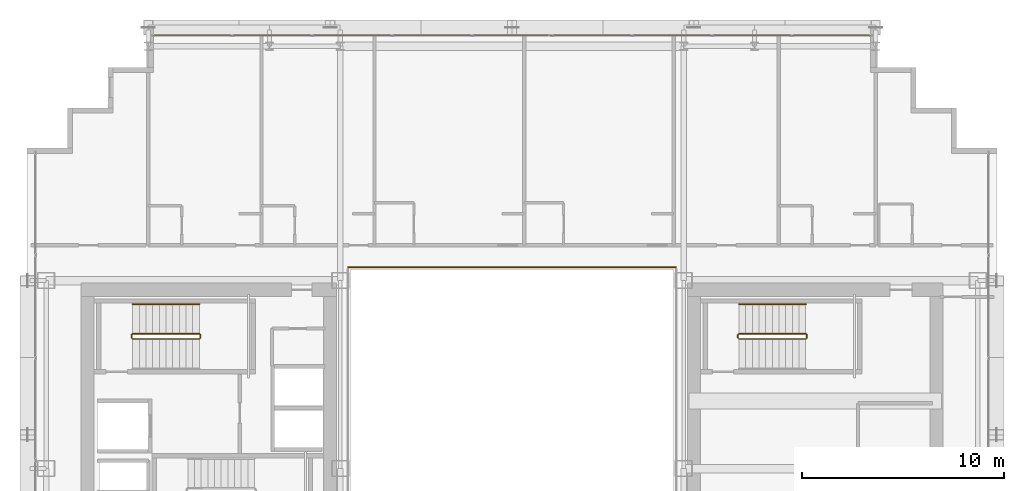
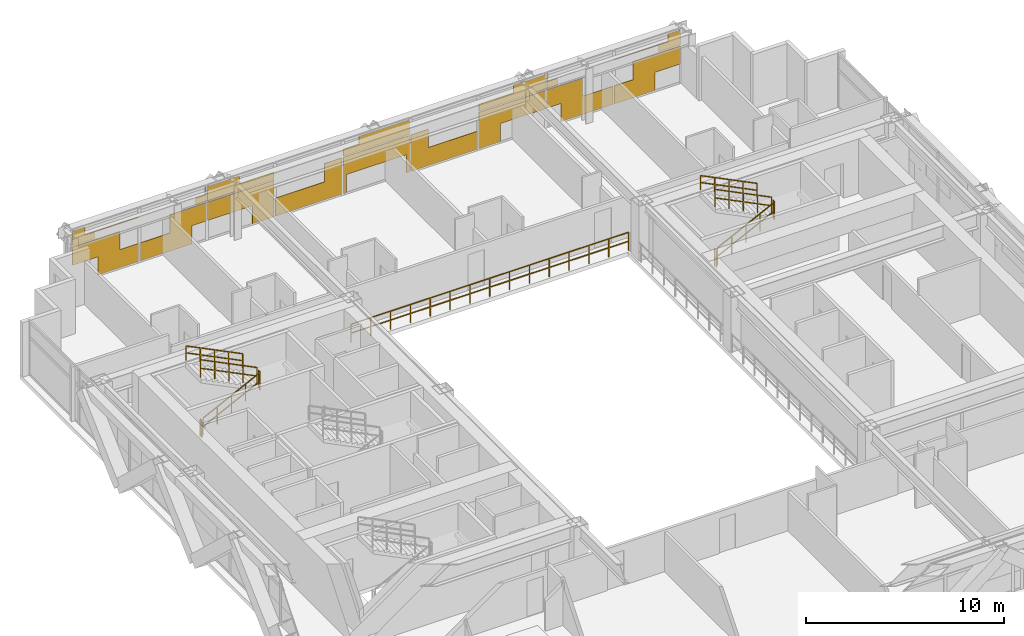
# One storey, part 35 of 35: 11 railings, 1 covering.
"""IFC4 building model written with IfcOpenShell, lengths in metres."""

from ifc_helpers import new_model, si_unit, direction, frame, origin, origin_2d, place, context, subcontext, project, spatial, rectangle, extrude, material, layer, layer_set, type_object, element, save


model = new_model("IFC4")

# Units and contexts
model_context = context("Model", 3, precision=1e-05, world=origin(), true_north=direction((0.0, 1.0)))
body_context = subcontext(model_context, "Body", "Model", "MODEL_VIEW")
ifc_project = project(units=[si_unit("LENGTHUNIT", "METRE"), si_unit("AREAUNIT", "SQUARE_METRE"), si_unit("VOLUMEUNIT", "CUBIC_METRE"), si_unit("PLANEANGLEUNIT", "RADIAN"), si_unit("MASSUNIT", "GRAM", prefix="KILO")], contexts=[model_context])

# Site, building, storey
site_placement = place(None, origin())
site = spatial("IfcSite", under=ifc_project, at=site_placement, CompositionType="ELEMENT")
building_placement = place(site_placement, origin())
building = spatial("IfcBuilding", under=site, at=building_placement, Name="Ocotamira Hotel", CompositionType="ELEMENT")
storey_placement = place(building_placement, frame((0.0, 0.0, 144.0)))
storey = spatial("IfcBuildingStorey", under=building, at=storey_placement, Name="L36", CompositionType="ELEMENT", Elevation=144.0)

# Covering
ifc_material_1 = material(Name="Insulated pale-metal aluminium spandrel panel", Category="aluminium")
ifc_layer = layer(ifc_material_1, 0.044921875)
ifc_layer_set = layer_set([ifc_layer], Name="Insulated pale-metal aluminium spandrel panel")
covering_type = type_object("IfcCoveringType", Name="COV-INFILL-45", PredefinedType="CLADDING", material=ifc_layer_set)
covering_placement = place(storey_placement, origin())
element("IfcCovering", 1, at=covering_placement, inside=storey, type_object=covering_type, Name="L36 Curtain Wall Infill CW-3 CW-L36-N", PredefinedType="CLADDING", context=body_context, shape_type="SweptSolid", body=[
    extrude(rectangle(XDim=2.754638671875, YDim=0.044921875, at=origin_2d()), frame((15.65771484375, 49.580078125, 1.1943359375), z_axis=(0.0, 0.0, 1.0), x_axis=(1.0, 0.0, 0.0)), (0.0, 0.0, 1.0), 1.117919921875),
    extrude(rectangle(XDim=2.359619140625, YDim=0.044921875, at=origin_2d()), frame((16.935302734375, 49.580078125, 0.07568359375), z_axis=(0.0, 0.0, 1.0), x_axis=(1.0, 0.0, 0.0)), (0.0, 0.0, 1.0), 1.117919921875),
    extrude(rectangle(XDim=1.262451171875, YDim=0.044921875, at=origin_2d()), frame((14.91162109375, 49.580078125, 2.387939453125), z_axis=(0.0, 0.0, 1.0), x_axis=(1.0, 0.0, 0.0)), (0.0, 0.0, 1.0), 0.39111328125),
    extrude(rectangle(XDim=3.834716796875, YDim=0.044921875, at=origin_2d()), frame((16.19775390625, 49.580078125, 2.780029296875), z_axis=(0.0, 0.0, 1.0), x_axis=(1.0, 0.0, 0.0)), (0.0, 0.0, 1.0), 0.03271484375),
    extrude(rectangle(XDim=0.730224609375, YDim=0.044921875, at=origin_2d()), frame((14.6455078125, 49.580078125, 2.813720703125), z_axis=(0.0, 0.0, 1.0), x_axis=(1.0, 0.0, 0.0)), (0.0, 0.0, 1.0), 0.470703125),
    extrude(rectangle(XDim=3.04833984375, YDim=0.044921875, at=origin_2d()), frame((19.72021484375, 49.580078125, 0.07568359375), z_axis=(0.0, 0.0, 1.0), x_axis=(1.0, 0.0, 0.0)), (0.0, 0.0, 1.0), 1.117919921875),
    extrude(rectangle(XDim=2.105712890625, YDim=0.044921875, at=origin_2d()), frame((21.017578125, 49.580078125, 1.1943359375), z_axis=(0.0, 0.0, 1.0), x_axis=(1.0, 0.0, 0.0)), (0.0, 0.0, 1.0), 1.117919921875),
    extrude(rectangle(XDim=0.613525390625, YDim=0.044921875, at=origin_2d()), frame((21.763916015625, 49.580078125, 2.387939453125), z_axis=(0.0, 0.0, 1.0), x_axis=(1.0, 0.0, 0.0)), (0.0, 0.0, 1.0), 0.4248046875),
    extrude(rectangle(XDim=0.081298828125, YDim=0.044921875, at=origin_2d()), frame((22.02978515625, 49.580078125, 2.813720703125), z_axis=(0.0, 0.0, 1.0), x_axis=(1.0, 0.0, 0.0)), (0.0, 0.0, 1.0), 0.470703125),
    extrude(rectangle(XDim=3.87451171875, YDim=0.044921875, at=origin_2d()), frame((24.0888671875, 49.580078125, 1.1943359375), z_axis=(0.0, 0.0, 1.0), x_axis=(1.0, 0.0, 0.0)), (0.0, 0.0, 1.0), 1.117919921875),
    extrude(rectangle(XDim=1.270751953125, YDim=0.044921875, at=origin_2d()), frame((25.390869140625, 49.580078125, 0.07568359375), z_axis=(0.0, 0.0, 1.0), x_axis=(1.0, 0.0, 0.0)), (0.0, 0.0, 1.0), 1.117919921875),
    extrude(rectangle(XDim=3.87451171875, YDim=0.044921875, at=origin_2d()), frame((24.0888671875, 49.580078125, 2.387939453125), z_axis=(0.0, 0.0, 1.0), x_axis=(1.0, 0.0, 0.0)), (0.0, 0.0, 1.0), 0.4248046875),
    extrude(rectangle(XDim=1.859130859375, YDim=0.044921875, at=origin_2d()), frame((23.081298828125, 49.580078125, 2.813720703125), z_axis=(0.0, 0.0, 1.0), x_axis=(1.0, 0.0, 0.0)), (0.0, 0.0, 1.0), 0.470703125),
    extrude(rectangle(XDim=3.87451171875, YDim=0.044921875, at=origin_2d()), frame((28.04443359375, 49.580078125, 0.07568359375), z_axis=(0.0, 0.0, 1.0), x_axis=(1.0, 0.0, 0.0)), (0.0, 0.0, 1.0), 1.117919921875),
    extrude(rectangle(XDim=1.016845703125, YDim=0.044921875, at=origin_2d()), frame((29.473388671875, 49.580078125, 1.1943359375), z_axis=(0.0, 0.0, 1.0), x_axis=(1.0, 0.0, 0.0)), (0.0, 0.0, 1.0), 1.117919921875),
    extrude(rectangle(XDim=0.181884765625, YDim=0.044921875, at=origin_2d()), frame((30.153564453125, 49.580078125, 0.07568359375), z_axis=(0.0, 0.0, 1.0), x_axis=(1.0, 0.0, 0.0)), (0.0, 0.0, 1.0), 1.117919921875),
    extrude(rectangle(XDim=3.87451171875, YDim=0.044921875, at=origin_2d()), frame((32.0, 49.580078125, 1.1943359375), z_axis=(0.0, 0.0, 1.0), x_axis=(1.0, 0.0, 0.0)), (0.0, 0.0, 1.0), 1.117919921875),
    extrude(rectangle(XDim=0.181884765625, YDim=0.044921875, at=origin_2d()), frame((33.846435546875, 49.580078125, 0.07568359375), z_axis=(0.0, 0.0, 1.0), x_axis=(1.0, 0.0, 0.0)), (0.0, 0.0, 1.0), 1.117919921875),
    extrude(rectangle(XDim=3.87451171875, YDim=0.044921875, at=origin_2d()), frame((32.0, 49.580078125, 2.387939453125), z_axis=(0.0, 0.0, 1.0), x_axis=(1.0, 0.0, 0.0)), (0.0, 0.0, 1.0), 0.4248046875),
    extrude(rectangle(XDim=2.947998046875, YDim=0.044921875, at=origin_2d()), frame((32.46337890625, 49.580078125, 2.813720703125), z_axis=(0.0, 0.0, 1.0), x_axis=(1.0, 0.0, 0.0)), (0.0, 0.0, 1.0), 0.470703125),
    extrude(rectangle(XDim=3.87451171875, YDim=0.044921875, at=origin_2d()), frame((35.95556640625, 49.580078125, 0.07568359375), z_axis=(0.0, 0.0, 1.0), x_axis=(1.0, 0.0, 0.0)), (0.0, 0.0, 1.0), 1.117919921875),
    extrude(rectangle(XDim=1.016845703125, YDim=0.044921875, at=origin_2d()), frame((34.526611328125, 49.580078125, 1.1943359375), z_axis=(0.0, 0.0, 1.0), x_axis=(1.0, 0.0, 0.0)), (0.0, 0.0, 1.0), 1.117919921875),
    extrude(rectangle(XDim=1.270751953125, YDim=0.044921875, at=origin_2d()), frame((38.609130859375, 49.580078125, 0.07568359375), z_axis=(0.0, 0.0, 1.0), x_axis=(1.0, 0.0, 0.0)), (0.0, 0.0, 1.0), 1.117919921875),
    extrude(rectangle(XDim=3.87451171875, YDim=0.044921875, at=origin_2d()), frame((39.9111328125, 49.580078125, 1.1943359375), z_axis=(0.0, 0.0, 1.0), x_axis=(1.0, 0.0, 0.0)), (0.0, 0.0, 1.0), 1.117919921875),
    extrude(rectangle(XDim=3.87451171875, YDim=0.044921875, at=origin_2d()), frame((39.9111328125, 49.580078125, 2.387939453125), z_axis=(0.0, 0.0, 1.0), x_axis=(1.0, 0.0, 0.0)), (0.0, 0.0, 1.0), 0.4248046875),
    extrude(rectangle(XDim=1.859130859375, YDim=0.044921875, at=origin_2d()), frame((40.918701171875, 49.580078125, 2.813720703125), z_axis=(0.0, 0.0, 1.0), x_axis=(1.0, 0.0, 0.0)), (0.0, 0.0, 1.0), 0.470703125),
    extrude(rectangle(XDim=2.105712890625, YDim=0.044921875, at=origin_2d()), frame((42.982421875, 49.580078125, 1.1943359375), z_axis=(0.0, 0.0, 1.0), x_axis=(1.0, 0.0, 0.0)), (0.0, 0.0, 1.0), 1.117919921875),
    extrude(rectangle(XDim=3.04833984375, YDim=0.044921875, at=origin_2d()), frame((44.27978515625, 49.580078125, 0.07568359375), z_axis=(0.0, 0.0, 1.0), x_axis=(1.0, 0.0, 0.0)), (0.0, 0.0, 1.0), 1.117919921875),
    extrude(rectangle(XDim=0.613525390625, YDim=0.044921875, at=origin_2d()), frame((42.236083984375, 49.580078125, 2.387939453125), z_axis=(0.0, 0.0, 1.0), x_axis=(1.0, 0.0, 0.0)), (0.0, 0.0, 1.0), 0.4248046875),
    extrude(rectangle(XDim=0.081298828125, YDim=0.044921875, at=origin_2d()), frame((41.97021484375, 49.580078125, 2.813720703125), z_axis=(0.0, 0.0, 1.0), x_axis=(1.0, 0.0, 0.0)), (0.0, 0.0, 1.0), 0.470703125),
    extrude(rectangle(XDim=2.359619140625, YDim=0.044921875, at=origin_2d()), frame((47.064697265625, 49.580078125, 0.07568359375), z_axis=(0.0, 0.0, 1.0), x_axis=(1.0, 0.0, 0.0)), (0.0, 0.0, 1.0), 1.117919921875),
    extrude(rectangle(XDim=2.754638671875, YDim=0.044921875, at=origin_2d()), frame((48.34228515625, 49.580078125, 1.1943359375), z_axis=(0.0, 0.0, 1.0), x_axis=(1.0, 0.0, 0.0)), (0.0, 0.0, 1.0), 1.117919921875),
    extrude(rectangle(XDim=3.834716796875, YDim=0.044921875, at=origin_2d()), frame((47.80224609375, 49.580078125, 2.780029296875), z_axis=(0.0, 0.0, 1.0), x_axis=(1.0, 0.0, 0.0)), (0.0, 0.0, 1.0), 0.03271484375),
    extrude(rectangle(XDim=1.262451171875, YDim=0.044921875, at=origin_2d()), frame((49.08837890625, 49.580078125, 2.387939453125), z_axis=(0.0, 0.0, 1.0), x_axis=(1.0, 0.0, 0.0)), (0.0, 0.0, 1.0), 0.39111328125),
    extrude(rectangle(XDim=0.730224609375, YDim=0.044921875, at=origin_2d()), frame((49.3544921875, 49.580078125, 2.813720703125), z_axis=(0.0, 0.0, 1.0), x_axis=(1.0, 0.0, 0.0)), (0.0, 0.0, 1.0), 0.470703125),
])

# Railings
ifc_material_2 = material(Name="Painted steel stair guardrail", Category="steel")
railing_type_1 = type_object("IfcRailingType", Name="RL-EDGE-1150", PredefinedType="GUARDRAIL", material=ifc_material_2)
railing_1_placement = place(storey_placement, frame((40.10009765625, 38.1201171875, 0.0)))
element("IfcRailing", 2, at=railing_1_placement, inside=storey, type_object=railing_type_1, Name="L36 Central Atrium Edge Guardrail N", PredefinedType="GUARDRAIL", context=body_context, shape_type="SweptSolid", body=[
    extrude(rectangle(XDim=0.048095703125, YDim=0.048095703125, at=origin_2d()), frame((0.0, 0.0, 1.1259765625), z_axis=(-1.0, 0.0, 0.0), x_axis=(0.0, -1.0, 0.0)), (0.0, 0.0, 1.0), 16.2001953125),
    extrude(rectangle(XDim=0.048095703125, YDim=0.048095703125, at=origin_2d()), frame((0.0, 0.0, 0.574951171875), z_axis=(-1.0, 0.0, 0.0), x_axis=(0.0, -1.0, 0.0)), (0.0, 0.0, 1.0), 16.2001953125),
    extrude(rectangle(XDim=0.0419921875, YDim=0.0419921875, at=origin_2d()), origin(), (0.0, 0.0, 1.0), 1.101806640625),
    extrude(rectangle(XDim=0.0419921875, YDim=0.0419921875, at=origin_2d()), frame((-1.1572265625, 0.0, 0.0)), (0.0, 0.0, 1.0), 1.101806640625),
    extrude(rectangle(XDim=0.0419921875, YDim=0.0419921875, at=origin_2d()), frame((-2.314208984375, 0.0, 0.0)), (0.0, 0.0, 1.0), 1.101806640625),
    extrude(rectangle(XDim=0.0419921875, YDim=0.0419921875, at=origin_2d()), frame((-3.471435546875, 0.0, 0.0)), (0.0, 0.0, 1.0), 1.101806640625),
    extrude(rectangle(XDim=0.0419921875, YDim=0.0419921875, at=origin_2d()), frame((-4.628662109375, 0.0, 0.0)), (0.0, 0.0, 1.0), 1.101806640625),
    extrude(rectangle(XDim=0.0419921875, YDim=0.0419921875, at=origin_2d()), frame((-5.785888671875, 0.0, 0.0)), (0.0, 0.0, 1.0), 1.101806640625),
    extrude(rectangle(XDim=0.0419921875, YDim=0.0419921875, at=origin_2d()), frame((-6.94287109375, 0.0, 0.0)), (0.0, 0.0, 1.0), 1.101806640625),
    extrude(rectangle(XDim=0.0419921875, YDim=0.0419921875, at=origin_2d()), frame((-8.10009765625, 0.0, 0.0)), (0.0, 0.0, 1.0), 1.101806640625),
    extrude(rectangle(XDim=0.0419921875, YDim=0.0419921875, at=origin_2d()), frame((-9.25732421875, 0.0, 0.0)), (0.0, 0.0, 1.0), 1.101806640625),
    extrude(rectangle(XDim=0.0419921875, YDim=0.0419921875, at=origin_2d()), frame((-10.414306640625, 0.0, 0.0)), (0.0, 0.0, 1.0), 1.101806640625),
    extrude(rectangle(XDim=0.0419921875, YDim=0.0419921875, at=origin_2d()), frame((-11.571533203125, 0.0, 0.0)), (0.0, 0.0, 1.0), 1.101806640625),
    extrude(rectangle(XDim=0.0419921875, YDim=0.0419921875, at=origin_2d()), frame((-12.728759765625, 0.0, 0.0)), (0.0, 0.0, 1.0), 1.101806640625),
    extrude(rectangle(XDim=0.0419921875, YDim=0.0419921875, at=origin_2d()), frame((-13.885986328125, 0.0, 0.0)), (0.0, 0.0, 1.0), 1.101806640625),
    extrude(rectangle(XDim=0.0419921875, YDim=0.0419921875, at=origin_2d()), frame((-15.04296875, 0.0, 0.0)), (0.0, 0.0, 1.0), 1.101806640625),
    extrude(rectangle(XDim=0.0419921875, YDim=0.0419921875, at=origin_2d()), frame((-16.2001953125, 0.0, 0.0)), (0.0, 0.0, 1.0), 1.101806640625),
])
ifc_material_3 = material(Name="Brushed stainless steel handrail", Category="steel")
railing_type_2 = type_object("IfcRailingType", Name="RL-HAND-900", PredefinedType="HANDRAIL", material=ifc_material_3)
for number, where, name in (
    (3, (16.530029296875, 36.280029296875, 2.127197265625), "L36 ST-2 stair handrail 2"),
    (4, (46.530029296875, 36.280029296875, 2.127197265625), "L36 ST-4 stair handrail 2"),
):
    element("IfcRailing", number, at=place(storey_placement, frame(where)), inside=storey, type_object=railing_type_2, Name=name, PredefinedType="HANDRAIL", context=body_context, shape_type="SweptSolid", body=[
        extrude(rectangle(XDim=0.048095703125, YDim=0.048095703125, at=origin_2d()), frame((0.0, 0.0, 0.8759765625), z_axis=(-0.895893744519, 0.0, 0.4442683857), x_axis=(0.0, -1.0, 0.0)), (0.0, 0.0, 1.0), 3.68359375),
        extrude(rectangle(XDim=0.048095703125, YDim=0.048095703125, at=origin_2d()), frame((0.0, 0.0, 0.449951171875), z_axis=(-0.895893744519, 0.0, 0.4442683857), x_axis=(0.0, -1.0, 0.0)), (0.0, 0.0, 1.0), 3.68359375),
        extrude(rectangle(XDim=0.0419921875, YDim=0.0419921875, at=origin_2d()), origin(), (0.0, 0.0, 1.0), 0.851806640625),
        extrude(rectangle(XDim=0.0419921875, YDim=0.0419921875, at=origin_2d()), frame((-0.824951171875, 0.0, 0.4091796875)), (0.0, 0.0, 1.0), 0.851806640625),
        extrude(rectangle(XDim=0.0419921875, YDim=0.0419921875, at=origin_2d()), frame((-1.64990234375, 0.0, 0.818359375)), (0.0, 0.0, 1.0), 0.851806640625),
        extrude(rectangle(XDim=0.0419921875, YDim=0.0419921875, at=origin_2d()), frame((-2.47509765625, 0.0, 1.227294921875)), (0.0, 0.0, 1.0), 0.851806640625),
        extrude(rectangle(XDim=0.0419921875, YDim=0.0419921875, at=origin_2d()), frame((-3.300048828125, 0.0, 1.636474609375)), (0.0, 0.0, 1.0), 0.851806640625),
    ])
railing_type_3 = type_object("IfcRailingType", Name="RL-STAIR-1100", PredefinedType="GUARDRAIL", material=ifc_material_2)
railing_2_placement = place(storey_placement, frame((13.22998046875, 34.56005859375, 0.16357421875)))
element("IfcRailing", 5, at=railing_2_placement, inside=storey, type_object=railing_type_3, Name="L36 ST-2 stair guard 1", PredefinedType="GUARDRAIL", context=body_context, shape_type="SweptSolid", body=[
    extrude(rectangle(XDim=0.048095703125, YDim=0.048095703125, at=origin_2d()), frame((0.0, 0.0, 1.076171875), z_axis=(0.895893744519, 0.0, 0.4442683857), x_axis=(0.0, 1.0, 0.0)), (0.0, 0.0, 1.0), 3.68359375),
    extrude(rectangle(XDim=0.048095703125, YDim=0.048095703125, at=origin_2d()), frame((0.0, 0.0, 0.550048828125), z_axis=(0.895893744519, 0.0, 0.4442683857), x_axis=(0.0, 1.0, 0.0)), (0.0, 0.0, 1.0), 3.68359375),
    extrude(rectangle(XDim=0.0419921875, YDim=0.0419921875, at=origin_2d()), origin(), (0.0, 0.0, 1.0), 1.052001953125),
    extrude(rectangle(XDim=0.0419921875, YDim=0.0419921875, at=origin_2d()), frame((0.824951171875, 0.0, 0.4091796875)), (0.0, 0.0, 1.0), 1.052001953125),
    extrude(rectangle(XDim=0.0419921875, YDim=0.0419921875, at=origin_2d()), frame((1.64990234375, 0.0, 0.818359375)), (0.0, 0.0, 1.0), 1.052001953125),
    extrude(rectangle(XDim=0.0419921875, YDim=0.0419921875, at=origin_2d()), frame((2.47509765625, 0.0, 1.227294921875)), (0.0, 0.0, 1.0), 1.052001953125),
    extrude(rectangle(XDim=0.0419921875, YDim=0.0419921875, at=origin_2d()), frame((3.300048828125, 0.0, 1.636474609375)), (0.0, 0.0, 1.0), 1.052001953125),
])
railing_3_placement = place(storey_placement, frame((16.580078125, 34.610107421875, 1.800048828125)))
element("IfcRailing", 6, at=railing_3_placement, inside=storey, type_object=railing_type_3, Name="L36 ST-2 stair guard 2", PredefinedType="GUARDRAIL", context=body_context, shape_type="SweptSolid", body=[
    extrude(rectangle(XDim=0.048095703125, YDim=0.048095703125, at=origin_2d()), frame((0.0, 0.0, 1.076171875), z_axis=(0.0, 1.0, 0.0), x_axis=(-1.0, 0.0, 0.0)), (0.0, 0.0, 1.0), 0.159912109375),
    extrude(rectangle(XDim=0.048095703125, YDim=0.048095703125, at=origin_2d()), frame((0.0, 0.0, 0.550048828125), z_axis=(0.0, 1.0, 0.0), x_axis=(-1.0, 0.0, 0.0)), (0.0, 0.0, 1.0), 0.159912109375),
    extrude(rectangle(XDim=0.0419921875, YDim=0.0419921875, at=origin_2d()), origin(), (0.0, 0.0, 1.0), 1.052001953125),
    extrude(rectangle(XDim=0.0419921875, YDim=0.0419921875, at=origin_2d()), frame((0.0, 0.159912109375, 0.0)), (0.0, 0.0, 1.0), 1.052001953125),
])
railing_4_placement = place(storey_placement, frame((16.530029296875, 34.820068359375, 1.963623046875)))
element("IfcRailing", 7, at=railing_4_placement, inside=storey, type_object=railing_type_3, Name="L36 ST-2 stair guard 3", PredefinedType="GUARDRAIL", context=body_context, shape_type="SweptSolid", body=[
    extrude(rectangle(XDim=0.048095703125, YDim=0.048095703125, at=origin_2d()), frame((0.0, 0.0, 1.076171875), z_axis=(-0.895893744519, 0.0, 0.4442683857), x_axis=(0.0, -1.0, 0.0)), (0.0, 0.0, 1.0), 3.68359375),
    extrude(rectangle(XDim=0.048095703125, YDim=0.048095703125, at=origin_2d()), frame((0.0, 0.0, 0.550048828125), z_axis=(-0.895893744519, 0.0, 0.4442683857), x_axis=(0.0, -1.0, 0.0)), (0.0, 0.0, 1.0), 3.68359375),
    extrude(rectangle(XDim=0.0419921875, YDim=0.0419921875, at=origin_2d()), origin(), (0.0, 0.0, 1.0), 1.052001953125),
    extrude(rectangle(XDim=0.0419921875, YDim=0.0419921875, at=origin_2d()), frame((-0.824951171875, 0.0, 0.4091796875)), (0.0, 0.0, 1.0), 1.052001953125),
    extrude(rectangle(XDim=0.0419921875, YDim=0.0419921875, at=origin_2d()), frame((-1.64990234375, 0.0, 0.818359375)), (0.0, 0.0, 1.0), 1.052001953125),
    extrude(rectangle(XDim=0.0419921875, YDim=0.0419921875, at=origin_2d()), frame((-2.47509765625, 0.0, 1.227294921875)), (0.0, 0.0, 1.0), 1.052001953125),
    extrude(rectangle(XDim=0.0419921875, YDim=0.0419921875, at=origin_2d()), frame((-3.300048828125, 0.0, 1.636474609375)), (0.0, 0.0, 1.0), 1.052001953125),
])
railing_5_placement = place(storey_placement, frame((13.179931640625, 34.610107421875, 0.0)))
element("IfcRailing", 8, at=railing_5_placement, inside=storey, type_object=railing_type_3, Name="L36 ST-2 stair guard 4", PredefinedType="GUARDRAIL", context=body_context, shape_type="SweptSolid", body=[
    extrude(rectangle(XDim=0.048095703125, YDim=0.048095703125, at=origin_2d()), frame((0.0, 0.0, 1.076171875), z_axis=(0.0, 1.0, 0.0), x_axis=(-1.0, 0.0, 0.0)), (0.0, 0.0, 1.0), 0.159912109375),
    extrude(rectangle(XDim=0.048095703125, YDim=0.048095703125, at=origin_2d()), frame((0.0, 0.0, 0.550048828125), z_axis=(0.0, 1.0, 0.0), x_axis=(-1.0, 0.0, 0.0)), (0.0, 0.0, 1.0), 0.159912109375),
    extrude(rectangle(XDim=0.0419921875, YDim=0.0419921875, at=origin_2d()), origin(), (0.0, 0.0, 1.0), 1.052001953125),
    extrude(rectangle(XDim=0.0419921875, YDim=0.0419921875, at=origin_2d()), frame((0.0, 0.159912109375, 0.0)), (0.0, 0.0, 1.0), 1.052001953125),
])
railing_6_placement = place(storey_placement, frame((43.22998046875, 34.56005859375, 0.16357421875)))
element("IfcRailing", 9, at=railing_6_placement, inside=storey, type_object=railing_type_3, Name="L36 ST-4 stair guard 1", PredefinedType="GUARDRAIL", context=body_context, shape_type="SweptSolid", body=[
    extrude(rectangle(XDim=0.048095703125, YDim=0.048095703125, at=origin_2d()), frame((0.0, 0.0, 1.076171875), z_axis=(0.895893744519, 0.0, 0.4442683857), x_axis=(0.0, 1.0, 0.0)), (0.0, 0.0, 1.0), 3.68359375),
    extrude(rectangle(XDim=0.048095703125, YDim=0.048095703125, at=origin_2d()), frame((0.0, 0.0, 0.550048828125), z_axis=(0.895893744519, 0.0, 0.4442683857), x_axis=(0.0, 1.0, 0.0)), (0.0, 0.0, 1.0), 3.68359375),
    extrude(rectangle(XDim=0.0419921875, YDim=0.0419921875, at=origin_2d()), origin(), (0.0, 0.0, 1.0), 1.052001953125),
    extrude(rectangle(XDim=0.0419921875, YDim=0.0419921875, at=origin_2d()), frame((0.824951171875, 0.0, 0.4091796875)), (0.0, 0.0, 1.0), 1.052001953125),
    extrude(rectangle(XDim=0.0419921875, YDim=0.0419921875, at=origin_2d()), frame((1.64990234375, 0.0, 0.818359375)), (0.0, 0.0, 1.0), 1.052001953125),
    extrude(rectangle(XDim=0.0419921875, YDim=0.0419921875, at=origin_2d()), frame((2.47509765625, 0.0, 1.227294921875)), (0.0, 0.0, 1.0), 1.052001953125),
    extrude(rectangle(XDim=0.0419921875, YDim=0.0419921875, at=origin_2d()), frame((3.300048828125, 0.0, 1.636474609375)), (0.0, 0.0, 1.0), 1.052001953125),
])
railing_7_placement = place(storey_placement, frame((46.580078125, 34.610107421875, 1.800048828125)))
element("IfcRailing", 10, at=railing_7_placement, inside=storey, type_object=railing_type_3, Name="L36 ST-4 stair guard 2", PredefinedType="GUARDRAIL", context=body_context, shape_type="SweptSolid", body=[
    extrude(rectangle(XDim=0.048095703125, YDim=0.048095703125, at=origin_2d()), frame((0.0, 0.0, 1.076171875), z_axis=(0.0, 1.0, 0.0), x_axis=(-1.0, 0.0, 0.0)), (0.0, 0.0, 1.0), 0.159912109375),
    extrude(rectangle(XDim=0.048095703125, YDim=0.048095703125, at=origin_2d()), frame((0.0, 0.0, 0.550048828125), z_axis=(0.0, 1.0, 0.0), x_axis=(-1.0, 0.0, 0.0)), (0.0, 0.0, 1.0), 0.159912109375),
    extrude(rectangle(XDim=0.0419921875, YDim=0.0419921875, at=origin_2d()), origin(), (0.0, 0.0, 1.0), 1.052001953125),
    extrude(rectangle(XDim=0.0419921875, YDim=0.0419921875, at=origin_2d()), frame((0.0, 0.159912109375, 0.0)), (0.0, 0.0, 1.0), 1.052001953125),
])
railing_8_placement = place(storey_placement, frame((46.530029296875, 34.820068359375, 1.963623046875)))
element("IfcRailing", 11, at=railing_8_placement, inside=storey, type_object=railing_type_3, Name="L36 ST-4 stair guard 3", PredefinedType="GUARDRAIL", context=body_context, shape_type="SweptSolid", body=[
    extrude(rectangle(XDim=0.048095703125, YDim=0.048095703125, at=origin_2d()), frame((0.0, 0.0, 1.076171875), z_axis=(-0.895893744519, 0.0, 0.4442683857), x_axis=(0.0, -1.0, 0.0)), (0.0, 0.0, 1.0), 3.68359375),
    extrude(rectangle(XDim=0.048095703125, YDim=0.048095703125, at=origin_2d()), frame((0.0, 0.0, 0.550048828125), z_axis=(-0.895893744519, 0.0, 0.4442683857), x_axis=(0.0, -1.0, 0.0)), (0.0, 0.0, 1.0), 3.68359375),
    extrude(rectangle(XDim=0.0419921875, YDim=0.0419921875, at=origin_2d()), origin(), (0.0, 0.0, 1.0), 1.052001953125),
    extrude(rectangle(XDim=0.0419921875, YDim=0.0419921875, at=origin_2d()), frame((-0.824951171875, 0.0, 0.4091796875)), (0.0, 0.0, 1.0), 1.052001953125),
    extrude(rectangle(XDim=0.0419921875, YDim=0.0419921875, at=origin_2d()), frame((-1.64990234375, 0.0, 0.818359375)), (0.0, 0.0, 1.0), 1.052001953125),
    extrude(rectangle(XDim=0.0419921875, YDim=0.0419921875, at=origin_2d()), frame((-2.47509765625, 0.0, 1.227294921875)), (0.0, 0.0, 1.0), 1.052001953125),
    extrude(rectangle(XDim=0.0419921875, YDim=0.0419921875, at=origin_2d()), frame((-3.300048828125, 0.0, 1.636474609375)), (0.0, 0.0, 1.0), 1.052001953125),
])
railing_9_placement = place(storey_placement, frame((43.179931640625, 34.610107421875, 0.0)))
element("IfcRailing", 12, at=railing_9_placement, inside=storey, type_object=railing_type_3, Name="L36 ST-4 stair guard 4", PredefinedType="GUARDRAIL", context=body_context, shape_type="SweptSolid", body=[
    extrude(rectangle(XDim=0.048095703125, YDim=0.048095703125, at=origin_2d()), frame((0.0, 0.0, 1.076171875), z_axis=(0.0, 1.0, 0.0), x_axis=(-1.0, 0.0, 0.0)), (0.0, 0.0, 1.0), 0.159912109375),
    extrude(rectangle(XDim=0.048095703125, YDim=0.048095703125, at=origin_2d()), frame((0.0, 0.0, 0.550048828125), z_axis=(0.0, 1.0, 0.0), x_axis=(-1.0, 0.0, 0.0)), (0.0, 0.0, 1.0), 0.159912109375),
    extrude(rectangle(XDim=0.0419921875, YDim=0.0419921875, at=origin_2d()), origin(), (0.0, 0.0, 1.0), 1.052001953125),
    extrude(rectangle(XDim=0.0419921875, YDim=0.0419921875, at=origin_2d()), frame((0.0, 0.159912109375, 0.0)), (0.0, 0.0, 1.0), 1.052001953125),
])

save(model, "model.ifc")
